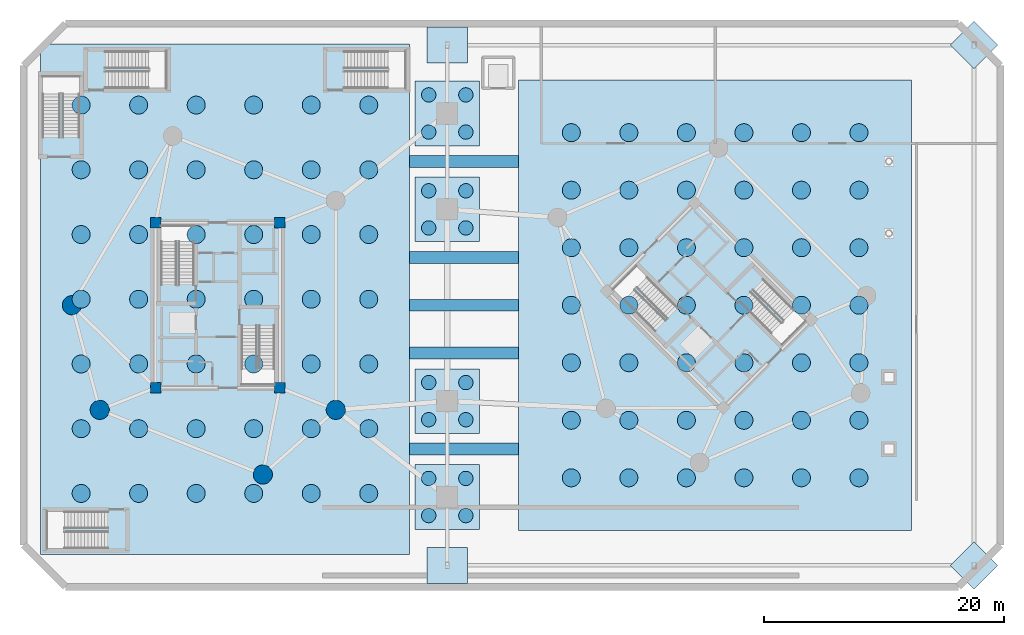
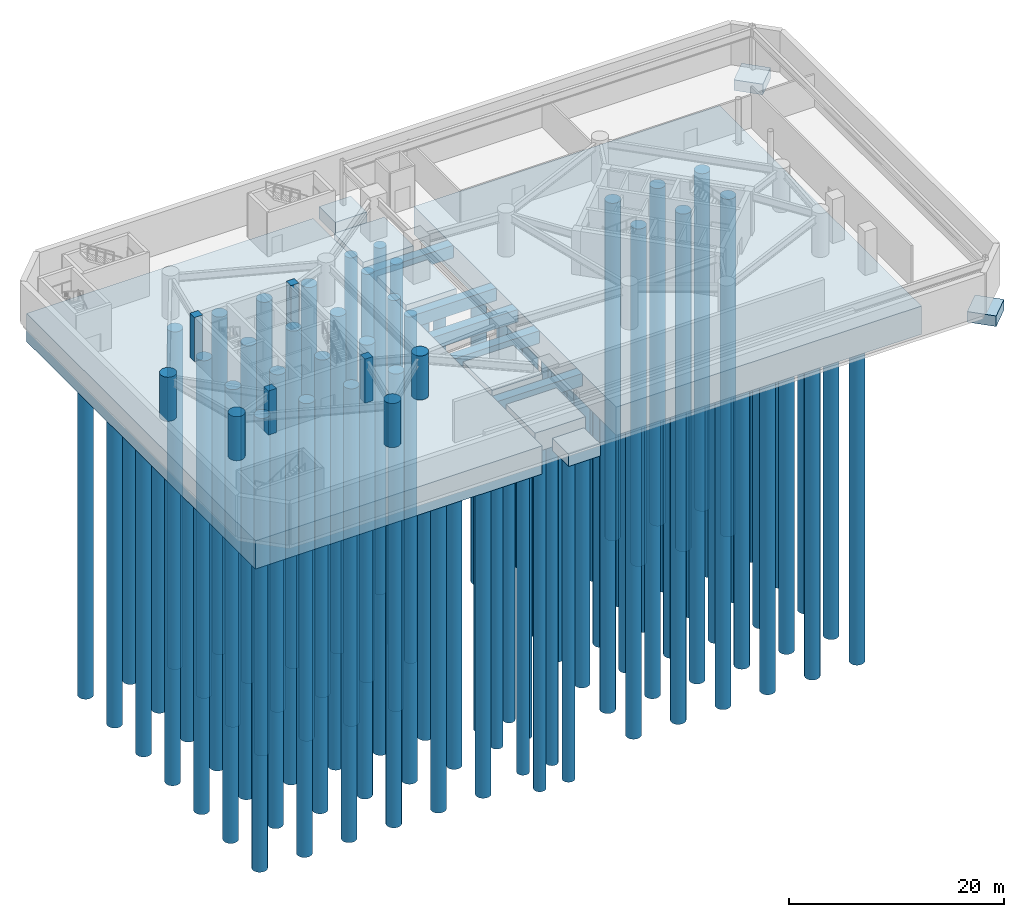
# One storey, part 1 of 15: 100 piles, 15 footings, 8 columns.
"""IFC4 building model written with IfcOpenShell, lengths in metres."""

from ifc_helpers import new_model, si_unit, direction, frame, origin, origin_2d, place, context, subcontext, project, spatial, rectangle, circle, extrude, source, transform, mapped, material, material_profile, profile_set, type_object, element, save


model = new_model("IFC4")

# Units and contexts
model_context = context("Model", 3, precision=1e-05, world=origin(), true_north=direction((0.0, 1.0)))
body_context = subcontext(model_context, "Body", "Model", "MODEL_VIEW")
ifc_project = project(units=[si_unit("LENGTHUNIT", "METRE"), si_unit("AREAUNIT", "SQUARE_METRE"), si_unit("VOLUMEUNIT", "CUBIC_METRE"), si_unit("PLANEANGLEUNIT", "RADIAN"), si_unit("MASSUNIT", "GRAM", prefix="KILO")], contexts=[model_context])

# Site, building, storey
site_placement = place(None, origin())
site = spatial("IfcSite", under=ifc_project, at=site_placement, CompositionType="ELEMENT")
building_placement = place(site_placement, origin())
building = spatial("IfcBuilding", under=site, at=building_placement, Name="Cununo Teusaquillo Station Towers", CompositionType="ELEMENT")
storey_placement = place(building_placement, frame((0.0, 0.0, -10.0)))
storey = spatial("IfcBuildingStorey", under=building, at=storey_placement, Name="B02", CompositionType="ELEMENT", Elevation=-10.0)

# Piles
ifc_material_1 = material(Name="Concrete C40/50", Category="concrete")
ifc_material_profile_1 = material_profile(ifc_material_1, circle(Radius=0.60009765625, at=origin_2d()), Name="PILE-BORED-1200")
ifc_profile_set_1 = profile_set([ifc_material_profile_1], Name="Concrete C40/50")
pile_type_1 = type_object("IfcPileType", Name="PILE-D1200", PredefinedType="BORED", material=ifc_profile_set_1)
for number, where, z_axis, x_axis, name in (
    (1, (34.10009765625, 6.949951171875, -2.64990234375), (0.0, 0.0, -1.0), (1.0, 0.0, 0.0), "Podium Cap Bored Pile PILE-PC1-S-11"),
    (2, (34.10009765625, 10.050048828125, -2.64990234375), (0.0, 0.0, -1.0), (1.0, 0.0, 0.0), "Podium Cap Bored Pile PILE-PC1-S-12"),
    (3, (37.199951171875, 6.949951171875, -2.64990234375), (0.0, 0.0, -1.0), (1.0, 0.0, 0.0), "Podium Cap Bored Pile PILE-PC1-S-21"),
    (4, (37.199951171875, 10.050048828125, -2.64990234375), (0.0, 0.0, -1.0), (1.0, 0.0, 0.0), "Podium Cap Bored Pile PILE-PC1-S-22"),
    (5, (34.10009765625, 14.949951171875, -2.64990234375), (0.0, 0.0, -1.0), (1.0, 0.0, 0.0), "Podium Cap Bored Pile PILE-PC1-M1-11"),
    (6, (34.10009765625, 18.050048828125, -2.64990234375), (0.0, 0.0, -1.0), (1.0, 0.0, 0.0), "Podium Cap Bored Pile PILE-PC1-M1-12"),
    (7, (37.199951171875, 14.949951171875, -2.64990234375), (0.0, 0.0, -1.0), (1.0, 0.0, 0.0), "Podium Cap Bored Pile PILE-PC1-M1-21"),
    (8, (37.199951171875, 18.050048828125, -2.64990234375), (0.0, 0.0, -1.0), (1.0, 0.0, 0.0), "Podium Cap Bored Pile PILE-PC1-M1-22"),
    (9, (34.10009765625, 30.949951171875, -2.64990234375), (0.0, 0.0, -1.0), (1.0, 0.0, 0.0), "Podium Cap Bored Pile PILE-PC1-M2-11"),
    (10, (34.10009765625, 34.050048828125, -2.64990234375), (0.0, 0.0, -1.0), (1.0, 0.0, 0.0), "Podium Cap Bored Pile PILE-PC1-M2-12"),
    (11, (37.199951171875, 30.949951171875, -2.64990234375), (0.0, 0.0, -1.0), (1.0, 0.0, 0.0), "Podium Cap Bored Pile PILE-PC1-M2-21"),
    (12, (37.199951171875, 34.050048828125, -2.64990234375), (0.0, 0.0, -1.0), (1.0, 0.0, 0.0), "Podium Cap Bored Pile PILE-PC1-M2-22"),
    (13, (34.10009765625, 38.949951171875, -2.64990234375), (0.0, 0.0, -1.0), (1.0, 0.0, 0.0), "Podium Cap Bored Pile PILE-PC1-N-11"),
    (14, (34.10009765625, 42.050048828125, -2.64990234375), (0.0, 0.0, -1.0), (1.0, 0.0, 0.0), "Podium Cap Bored Pile PILE-PC1-N-12"),
    (15, (37.199951171875, 38.949951171875, -2.64990234375), (0.0, 0.0, -1.0), (1.0, 0.0, 0.0), "Podium Cap Bored Pile PILE-PC1-N-21"),
    (16, (37.199951171875, 42.050048828125, -2.64990234375), (0.0, 0.0, -1.0), (1.0, 0.0, 0.0), "Podium Cap Bored Pile PILE-PC1-N-22"),
):
    element("IfcPile", number, at=place(storey_placement, frame(where, z_axis=z_axis, x_axis=x_axis)), inside=storey, type_object=pile_type_1, Name=name, PredefinedType="BORED", context=body_context, shape_type="SweptSolid", body=[
        extrude(circle(Radius=0.60009765625, at=origin_2d()), origin(), (0.0, 0.0, 1.0), 39.35009765625),
    ])
ifc_material_2 = material(Name="Concrete C40/50", Category="concrete")
ifc_material_profile_2 = material_profile(ifc_material_2, circle(Radius=0.75, at=origin_2d()), Name="PILE-BORED-1500")
ifc_profile_set_2 = profile_set([ifc_material_profile_2], Name="Concrete C40/50")
pile_type_2 = type_object("IfcPileType", Name="PILE-D1500", PredefinedType="BORED", material=ifc_profile_set_2)
for number, where, z_axis, x_axis, name in (
    (17, (5.10009765625, 8.800048828125, -3.64990234375), (0.0, 0.0, -1.0), (1.0, 0.0, 0.0), "Tower A Bored Pile PILE-T1-11"),
    (18, (5.10009765625, 14.199951171875, -3.64990234375), (0.0, 0.0, -1.0), (1.0, 0.0, 0.0), "Tower A Bored Pile PILE-T1-12"),
    (19, (5.10009765625, 19.60009765625, -3.64990234375), (0.0, 0.0, -1.0), (1.0, 0.0, 0.0), "Tower A Bored Pile PILE-T1-13"),
    (20, (5.10009765625, 25.0, -3.64990234375), (0.0, 0.0, -1.0), (1.0, 0.0, 0.0), "Tower A Bored Pile PILE-T1-14"),
    (21, (5.10009765625, 30.39990234375, -3.64990234375), (0.0, 0.0, -1.0), (1.0, 0.0, 0.0), "Tower A Bored Pile PILE-T1-15"),
    (22, (5.10009765625, 35.800048828125, -3.64990234375), (0.0, 0.0, -1.0), (1.0, 0.0, 0.0), "Tower A Bored Pile PILE-T1-16"),
    (23, (5.10009765625, 41.199951171875, -3.64990234375), (0.0, 0.0, -1.0), (1.0, 0.0, 0.0), "Tower A Bored Pile PILE-T1-17"),
    (24, (9.89990234375, 8.800048828125, -3.64990234375), (0.0, 0.0, -1.0), (1.0, 0.0, 0.0), "Tower A Bored Pile PILE-T1-21"),
    (25, (9.89990234375, 14.199951171875, -3.64990234375), (0.0, 0.0, -1.0), (1.0, 0.0, 0.0), "Tower A Bored Pile PILE-T1-22"),
    (26, (9.89990234375, 19.60009765625, -3.64990234375), (0.0, 0.0, -1.0), (1.0, 0.0, 0.0), "Tower A Bored Pile PILE-T1-23"),
    (27, (9.89990234375, 25.0, -3.64990234375), (0.0, 0.0, -1.0), (1.0, 0.0, 0.0), "Tower A Bored Pile PILE-T1-24"),
    (28, (9.89990234375, 30.39990234375, -3.64990234375), (0.0, 0.0, -1.0), (1.0, 0.0, 0.0), "Tower A Bored Pile PILE-T1-25"),
    (29, (9.89990234375, 35.800048828125, -3.64990234375), (0.0, 0.0, -1.0), (1.0, 0.0, 0.0), "Tower A Bored Pile PILE-T1-26"),
    (30, (9.89990234375, 41.199951171875, -3.64990234375), (0.0, 0.0, -1.0), (1.0, 0.0, 0.0), "Tower A Bored Pile PILE-T1-27"),
    (31, (14.699951171875, 8.800048828125, -3.64990234375), (0.0, 0.0, -1.0), (1.0, 0.0, 0.0), "Tower A Bored Pile PILE-T1-31"),
    (32, (14.699951171875, 14.199951171875, -3.64990234375), (0.0, 0.0, -1.0), (1.0, 0.0, 0.0), "Tower A Bored Pile PILE-T1-32"),
    (33, (14.699951171875, 19.60009765625, -3.64990234375), (0.0, 0.0, -1.0), (1.0, 0.0, 0.0), "Tower A Bored Pile PILE-T1-33"),
    (34, (14.699951171875, 25.0, -3.64990234375), (0.0, 0.0, -1.0), (1.0, 0.0, 0.0), "Tower A Bored Pile PILE-T1-34"),
    (35, (14.699951171875, 30.39990234375, -3.64990234375), (0.0, 0.0, -1.0), (1.0, 0.0, 0.0), "Tower A Bored Pile PILE-T1-35"),
    (36, (14.699951171875, 35.800048828125, -3.64990234375), (0.0, 0.0, -1.0), (1.0, 0.0, 0.0), "Tower A Bored Pile PILE-T1-36"),
    (37, (14.699951171875, 41.199951171875, -3.64990234375), (0.0, 0.0, -1.0), (1.0, 0.0, 0.0), "Tower A Bored Pile PILE-T1-37"),
    (38, (19.5, 8.800048828125, -3.64990234375), (0.0, 0.0, -1.0), (1.0, 0.0, 0.0), "Tower A Bored Pile PILE-T1-41"),
    (39, (19.5, 14.199951171875, -3.64990234375), (0.0, 0.0, -1.0), (1.0, 0.0, 0.0), "Tower A Bored Pile PILE-T1-42"),
    (40, (19.5, 19.60009765625, -3.64990234375), (0.0, 0.0, -1.0), (1.0, 0.0, 0.0), "Tower A Bored Pile PILE-T1-43"),
    (41, (19.5, 25.0, -3.64990234375), (0.0, 0.0, -1.0), (1.0, 0.0, 0.0), "Tower A Bored Pile PILE-T1-44"),
    (42, (19.5, 30.39990234375, -3.64990234375), (0.0, 0.0, -1.0), (1.0, 0.0, 0.0), "Tower A Bored Pile PILE-T1-45"),
    (43, (19.5, 35.800048828125, -3.64990234375), (0.0, 0.0, -1.0), (1.0, 0.0, 0.0), "Tower A Bored Pile PILE-T1-46"),
    (44, (19.5, 41.199951171875, -3.64990234375), (0.0, 0.0, -1.0), (1.0, 0.0, 0.0), "Tower A Bored Pile PILE-T1-47"),
    (45, (24.300048828125, 8.800048828125, -3.64990234375), (0.0, 0.0, -1.0), (1.0, 0.0, 0.0), "Tower A Bored Pile PILE-T1-51"),
    (46, (24.300048828125, 14.199951171875, -3.64990234375), (0.0, 0.0, -1.0), (1.0, 0.0, 0.0), "Tower A Bored Pile PILE-T1-52"),
    (47, (24.300048828125, 19.60009765625, -3.64990234375), (0.0, 0.0, -1.0), (1.0, 0.0, 0.0), "Tower A Bored Pile PILE-T1-53"),
    (48, (24.300048828125, 25.0, -3.64990234375), (0.0, 0.0, -1.0), (1.0, 0.0, 0.0), "Tower A Bored Pile PILE-T1-54"),
    (49, (24.300048828125, 30.39990234375, -3.64990234375), (0.0, 0.0, -1.0), (1.0, 0.0, 0.0), "Tower A Bored Pile PILE-T1-55"),
    (50, (24.300048828125, 35.800048828125, -3.64990234375), (0.0, 0.0, -1.0), (1.0, 0.0, 0.0), "Tower A Bored Pile PILE-T1-56"),
    (51, (24.300048828125, 41.199951171875, -3.64990234375), (0.0, 0.0, -1.0), (1.0, 0.0, 0.0), "Tower A Bored Pile PILE-T1-57"),
    (52, (29.10009765625, 8.800048828125, -3.64990234375), (0.0, 0.0, -1.0), (1.0, 0.0, 0.0), "Tower A Bored Pile PILE-T1-61"),
    (53, (29.10009765625, 14.199951171875, -3.64990234375), (0.0, 0.0, -1.0), (1.0, 0.0, 0.0), "Tower A Bored Pile PILE-T1-62"),
    (54, (29.10009765625, 19.60009765625, -3.64990234375), (0.0, 0.0, -1.0), (1.0, 0.0, 0.0), "Tower A Bored Pile PILE-T1-63"),
    (55, (29.10009765625, 25.0, -3.64990234375), (0.0, 0.0, -1.0), (1.0, 0.0, 0.0), "Tower A Bored Pile PILE-T1-64"),
    (56, (29.10009765625, 30.39990234375, -3.64990234375), (0.0, 0.0, -1.0), (1.0, 0.0, 0.0), "Tower A Bored Pile PILE-T1-65"),
    (57, (29.10009765625, 35.800048828125, -3.64990234375), (0.0, 0.0, -1.0), (1.0, 0.0, 0.0), "Tower A Bored Pile PILE-T1-66"),
    (58, (29.10009765625, 41.199951171875, -3.64990234375), (0.0, 0.0, -1.0), (1.0, 0.0, 0.0), "Tower A Bored Pile PILE-T1-67"),
    (59, (46.0, 10.10009765625, -3.64990234375), (0.0, 0.0, -1.0), (1.0, 0.0, 0.0), "Tower B Bored Pile PILE-T2-11"),
    (60, (46.0, 14.89990234375, -3.64990234375), (0.0, 0.0, -1.0), (1.0, 0.0, 0.0), "Tower B Bored Pile PILE-T2-12"),
    (61, (46.0, 19.699951171875, -3.64990234375), (0.0, 0.0, -1.0), (1.0, 0.0, 0.0), "Tower B Bored Pile PILE-T2-13"),
    (62, (46.0, 24.5, -3.64990234375), (0.0, 0.0, -1.0), (1.0, 0.0, 0.0), "Tower B Bored Pile PILE-T2-14"),
    (63, (46.0, 29.300048828125, -3.64990234375), (0.0, 0.0, -1.0), (1.0, 0.0, 0.0), "Tower B Bored Pile PILE-T2-15"),
    (64, (46.0, 34.10009765625, -3.64990234375), (0.0, 0.0, -1.0), (1.0, 0.0, 0.0), "Tower B Bored Pile PILE-T2-16"),
    (65, (46.0, 38.89990234375, -3.64990234375), (0.0, 0.0, -1.0), (1.0, 0.0, 0.0), "Tower B Bored Pile PILE-T2-17"),
    (66, (50.800048828125, 10.10009765625, -3.64990234375), (0.0, 0.0, -1.0), (1.0, 0.0, 0.0), "Tower B Bored Pile PILE-T2-21"),
    (67, (50.800048828125, 14.89990234375, -3.64990234375), (0.0, 0.0, -1.0), (1.0, 0.0, 0.0), "Tower B Bored Pile PILE-T2-22"),
    (68, (50.800048828125, 19.699951171875, -3.64990234375), (0.0, 0.0, -1.0), (1.0, 0.0, 0.0), "Tower B Bored Pile PILE-T2-23"),
    (69, (50.800048828125, 24.5, -3.64990234375), (0.0, 0.0, -1.0), (1.0, 0.0, 0.0), "Tower B Bored Pile PILE-T2-24"),
    (70, (50.800048828125, 29.300048828125, -3.64990234375), (0.0, 0.0, -1.0), (1.0, 0.0, 0.0), "Tower B Bored Pile PILE-T2-25"),
    (71, (50.800048828125, 34.10009765625, -3.64990234375), (0.0, 0.0, -1.0), (1.0, 0.0, 0.0), "Tower B Bored Pile PILE-T2-26"),
    (72, (50.800048828125, 38.89990234375, -3.64990234375), (0.0, 0.0, -1.0), (1.0, 0.0, 0.0), "Tower B Bored Pile PILE-T2-27"),
    (73, (55.60009765625, 10.10009765625, -3.64990234375), (0.0, 0.0, -1.0), (1.0, 0.0, 0.0), "Tower B Bored Pile PILE-T2-31"),
    (74, (55.60009765625, 14.89990234375, -3.64990234375), (0.0, 0.0, -1.0), (1.0, 0.0, 0.0), "Tower B Bored Pile PILE-T2-32"),
    (75, (55.60009765625, 19.699951171875, -3.64990234375), (0.0, 0.0, -1.0), (1.0, 0.0, 0.0), "Tower B Bored Pile PILE-T2-33"),
    (76, (55.60009765625, 24.5, -3.64990234375), (0.0, 0.0, -1.0), (1.0, 0.0, 0.0), "Tower B Bored Pile PILE-T2-34"),
    (77, (55.60009765625, 29.300048828125, -3.64990234375), (0.0, 0.0, -1.0), (1.0, 0.0, 0.0), "Tower B Bored Pile PILE-T2-35"),
    (78, (55.60009765625, 34.10009765625, -3.64990234375), (0.0, 0.0, -1.0), (1.0, 0.0, 0.0), "Tower B Bored Pile PILE-T2-36"),
    (79, (55.60009765625, 38.89990234375, -3.64990234375), (0.0, 0.0, -1.0), (1.0, 0.0, 0.0), "Tower B Bored Pile PILE-T2-37"),
    (80, (60.39990234375, 10.10009765625, -3.64990234375), (0.0, 0.0, -1.0), (1.0, 0.0, 0.0), "Tower B Bored Pile PILE-T2-41"),
    (81, (60.39990234375, 14.89990234375, -3.64990234375), (0.0, 0.0, -1.0), (1.0, 0.0, 0.0), "Tower B Bored Pile PILE-T2-42"),
    (82, (60.39990234375, 19.699951171875, -3.64990234375), (0.0, 0.0, -1.0), (1.0, 0.0, 0.0), "Tower B Bored Pile PILE-T2-43"),
    (83, (60.39990234375, 24.5, -3.64990234375), (0.0, 0.0, -1.0), (1.0, 0.0, 0.0), "Tower B Bored Pile PILE-T2-44"),
    (84, (60.39990234375, 29.300048828125, -3.64990234375), (0.0, 0.0, -1.0), (1.0, 0.0, 0.0), "Tower B Bored Pile PILE-T2-45"),
    (85, (60.39990234375, 34.10009765625, -3.64990234375), (0.0, 0.0, -1.0), (1.0, 0.0, 0.0), "Tower B Bored Pile PILE-T2-46"),
    (86, (60.39990234375, 38.89990234375, -3.64990234375), (0.0, 0.0, -1.0), (1.0, 0.0, 0.0), "Tower B Bored Pile PILE-T2-47"),
    (87, (65.199951171875, 10.10009765625, -3.64990234375), (0.0, 0.0, -1.0), (1.0, 0.0, 0.0), "Tower B Bored Pile PILE-T2-51"),
    (88, (65.199951171875, 14.89990234375, -3.64990234375), (0.0, 0.0, -1.0), (1.0, 0.0, 0.0), "Tower B Bored Pile PILE-T2-52"),
    (89, (65.199951171875, 19.699951171875, -3.64990234375), (0.0, 0.0, -1.0), (1.0, 0.0, 0.0), "Tower B Bored Pile PILE-T2-53"),
    (90, (65.199951171875, 24.5, -3.64990234375), (0.0, 0.0, -1.0), (1.0, 0.0, 0.0), "Tower B Bored Pile PILE-T2-54"),
    (91, (65.199951171875, 29.300048828125, -3.64990234375), (0.0, 0.0, -1.0), (1.0, 0.0, 0.0), "Tower B Bored Pile PILE-T2-55"),
    (92, (65.199951171875, 34.10009765625, -3.64990234375), (0.0, 0.0, -1.0), (1.0, 0.0, 0.0), "Tower B Bored Pile PILE-T2-56"),
    (93, (65.199951171875, 38.89990234375, -3.64990234375), (0.0, 0.0, -1.0), (1.0, 0.0, 0.0), "Tower B Bored Pile PILE-T2-57"),
    (94, (70.0, 10.10009765625, -3.64990234375), (0.0, 0.0, -1.0), (1.0, 0.0, 0.0), "Tower B Bored Pile PILE-T2-61"),
    (95, (70.0, 14.89990234375, -3.64990234375), (0.0, 0.0, -1.0), (1.0, 0.0, 0.0), "Tower B Bored Pile PILE-T2-62"),
    (96, (70.0, 19.699951171875, -3.64990234375), (0.0, 0.0, -1.0), (1.0, 0.0, 0.0), "Tower B Bored Pile PILE-T2-63"),
    (97, (70.0, 24.5, -3.64990234375), (0.0, 0.0, -1.0), (1.0, 0.0, 0.0), "Tower B Bored Pile PILE-T2-64"),
    (98, (70.0, 29.300048828125, -3.64990234375), (0.0, 0.0, -1.0), (1.0, 0.0, 0.0), "Tower B Bored Pile PILE-T2-65"),
    (99, (70.0, 34.10009765625, -3.64990234375), (0.0, 0.0, -1.0), (1.0, 0.0, 0.0), "Tower B Bored Pile PILE-T2-66"),
    (100, (70.0, 38.89990234375, -3.64990234375), (0.0, 0.0, -1.0), (1.0, 0.0, 0.0), "Tower B Bored Pile PILE-T2-67"),
):
    element("IfcPile", number, at=place(storey_placement, frame(where, z_axis=z_axis, x_axis=x_axis)), inside=storey, type_object=pile_type_2, Name=name, PredefinedType="BORED", context=body_context, shape_type="SweptSolid", body=[
        extrude(circle(Radius=0.75, at=origin_2d()), origin(), (0.0, 0.0, 1.0), 38.35009765625),
    ])

# Footings
ifc_material_3 = material(Name="Concrete C40/50", Category="concrete")
footing_type_1 = type_object("IfcFootingType", Name="FTG-RAFT-T1", PredefinedType="PILE_CAP", material=ifc_material_3)
shared_shape_1 = source(origin(), body_context, "Body", "SweptSolid", [
    extrude(rectangle(XDim=30.800048828125, YDim=42.60009765625, at=origin_2d()), origin(), (0.0, 0.0, 1.0), 3.199951171875),
])
footing_1_placement = place(storey_placement, frame((17.10009765625, 25.0, -3.7998046875), z_axis=(0.0, 0.0, 1.0), x_axis=(1.0, 0.0, 0.0)))
element("IfcFooting", 101, at=footing_1_placement, inside=storey, type_object=footing_type_1, Name="Tower A Piled Raft PR-T1", PredefinedType="PILE_CAP", context=body_context, shape_type="MappedRepresentation", body=[
    mapped(shared_shape_1, transform((0.0, 0.0, 0.0), x_axis=(1.0, 0.0, 0.0), y_axis=(0.0, 1.0, 0.0), z_axis=(0.0, 0.0, 1.0), scale=1.0)),
])
ifc_material_4 = material(Name="Concrete C40/50", Category="concrete")
footing_type_2 = type_object("IfcFootingType", Name="FTG-RAFT-T2", PredefinedType="PILE_CAP", material=ifc_material_4)
shared_shape_2 = source(origin(), body_context, "Body", "SweptSolid", [
    extrude(rectangle(XDim=32.800048828125, YDim=37.60009765625, at=origin_2d()), origin(), (0.0, 0.0, 1.0), 3.199951171875),
])
footing_2_placement = place(storey_placement, frame((58.0, 24.5, -3.7998046875), z_axis=(0.0, 0.0, 1.0), x_axis=(1.0, 0.0, 0.0)))
element("IfcFooting", 102, at=footing_2_placement, inside=storey, type_object=footing_type_2, Name="Tower B Piled Raft PR-T2", PredefinedType="PILE_CAP", context=body_context, shape_type="MappedRepresentation", body=[
    mapped(shared_shape_2, transform((0.0, 0.0, 0.0), x_axis=(1.0, 0.0, 0.0), y_axis=(0.0, 1.0, 0.0), z_axis=(0.0, 0.0, 1.0), scale=1.0)),
])
ifc_material_5 = material(Name="Concrete C40/50", Category="concrete")
footing_type_3 = type_object("IfcFootingType", Name="FTG-CAP-POD", PredefinedType="PILE_CAP", material=ifc_material_5)
shared_shape_3 = source(origin(), body_context, "Body", "SweptSolid", [
    extrude(rectangle(XDim=5.39990234375, YDim=5.39990234375, at=origin_2d()), origin(), (0.0, 0.0, 1.0), 2.199951171875),
])
for number, where, z_axis, x_axis, name in (
    (103, (35.64990234375, 8.5, -2.7998046875), (0.0, 0.0, 1.0), (1.0, 0.0, 0.0), "Podium Pile Cap PC1-S"),
    (104, (35.64990234375, 16.5, -2.7998046875), (0.0, 0.0, 1.0), (1.0, 0.0, 0.0), "Podium Pile Cap PC1-M1"),
    (105, (35.64990234375, 32.5, -2.7998046875), (0.0, 0.0, 1.0), (1.0, 0.0, 0.0), "Podium Pile Cap PC1-M2"),
    (106, (35.64990234375, 40.5, -2.7998046875), (0.0, 0.0, 1.0), (1.0, 0.0, 0.0), "Podium Pile Cap PC1-N"),
):
    element("IfcFooting", number, at=place(storey_placement, frame(where, z_axis=z_axis, x_axis=x_axis)), inside=storey, type_object=footing_type_3, Name=name, PredefinedType="PILE_CAP", context=body_context, shape_type="MappedRepresentation", body=[
        mapped(shared_shape_3, transform((0.0, 0.0, 0.0), x_axis=(1.0, 0.0, 0.0), y_axis=(0.0, 1.0, 0.0), z_axis=(0.0, 0.0, 1.0), scale=1.0)),
    ])
ifc_material_6 = material(Name="Concrete C40/50", Category="concrete")
footing_type_4 = type_object("IfcFootingType", Name="FTG-PAD-01", PredefinedType="PAD_FOOTING", material=ifc_material_6)
shared_shape_4 = source(origin(), body_context, "Body", "SweptSolid", [
    extrude(rectangle(XDim=3.39990234375, YDim=3.0, at=origin_2d()), origin(), (0.0, 0.0, 1.0), 1.39990234375),
])
for number, where, z_axis, x_axis, name in (
    (107, (35.64990234375, 46.199951171875, -2.0), (0.0, 0.0, 1.0), (1.0, 0.0, 0.0), "Station Canopy Pad Footing PF1-NW"),
    (108, (35.64990234375, 2.800048828125, -2.0), (0.0, 0.0, 1.0), (1.0, 0.0, 0.0), "Station Canopy Pad Footing PF1-SW"),
):
    element("IfcFooting", number, at=place(storey_placement, frame(where, z_axis=z_axis, x_axis=x_axis)), inside=storey, type_object=footing_type_4, Name=name, PredefinedType="PAD_FOOTING", context=body_context, shape_type="MappedRepresentation", body=[
        mapped(shared_shape_4, transform((0.0, 0.0, 0.0), x_axis=(1.0, 0.0, 0.0), y_axis=(0.0, 1.0, 0.0), z_axis=(0.0, 0.0, 1.0), scale=1.0)),
    ])
ifc_material_7 = material(Name="Concrete C40/50", Category="concrete")
footing_type_5 = type_object("IfcFootingType", Name="FTG-PAD-02", PredefinedType="PAD_FOOTING", material=ifc_material_7)
shared_shape_5 = source(origin(), body_context, "Body", "SweptSolid", [
    extrude(rectangle(XDim=2.800048828125, YDim=2.800048828125, at=origin_2d()), origin(), (0.0, 0.0, 1.0), 1.199951171875),
])
for number, where, z_axis, x_axis, name in (
    (109, (79.60009765625, 46.199951171875, -1.7998046875), (0.0, 0.0, 1.0), (0.707106781187, 0.707106781187, 0.0), "Station Canopy Pad Footing PF2-NE"),
    (110, (79.60009765625, 2.800048828125, -1.7998046875), (0.0, 0.0, 1.0), (0.707106781187, 0.707106781187, 0.0), "Station Canopy Pad Footing PF2-SE"),
):
    element("IfcFooting", number, at=place(storey_placement, frame(where, z_axis=z_axis, x_axis=x_axis)), inside=storey, type_object=footing_type_5, Name=name, PredefinedType="PAD_FOOTING", context=body_context, shape_type="MappedRepresentation", body=[
        mapped(shared_shape_5, transform((0.0, 0.0, 0.0), x_axis=(1.0, 0.0, 0.0), y_axis=(0.0, 1.0, 0.0), z_axis=(0.0, 0.0, 1.0), scale=1.0)),
    ])
ifc_material_8 = material(Name="Concrete C40/50", Category="concrete")
footing_type_6 = type_object("IfcFootingType", Name="FTG-GBEAM-01", PredefinedType="FOOTING_BEAM", material=ifc_material_8)
shared_shape_6 = source(origin(), body_context, "Body", "SweptSolid", [
    extrude(rectangle(XDim=9.095947265625, YDim=1.0, at=origin_2d()), origin(), (0.0, 0.0, 1.0), 1.39990234375),
])
for number, where, z_axis, x_axis, name in (
    (111, (37.050048828125, 12.5, -2.0), (0.0, 0.0, 1.0), (1.0, 0.0, 0.0), "Foundation Tie Ground Beam GB-01"),
    (112, (37.050048828125, 20.5, -2.0), (0.0, 0.0, 1.0), (1.0, 0.0, 0.0), "Foundation Tie Ground Beam GB-02"),
    (113, (37.050048828125, 24.5, -2.0), (0.0, 0.0, 1.0), (1.0, 0.0, 0.0), "Foundation Tie Ground Beam GB-03"),
    (114, (37.050048828125, 28.5, -2.0), (0.0, 0.0, 1.0), (1.0, 0.0, 0.0), "Foundation Tie Ground Beam GB-04"),
    (115, (37.050048828125, 36.5, -2.0), (0.0, 0.0, 1.0), (1.0, 0.0, 0.0), "Foundation Tie Ground Beam GB-05"),
):
    element("IfcFooting", number, at=place(storey_placement, frame(where, z_axis=z_axis, x_axis=x_axis)), inside=storey, type_object=footing_type_6, Name=name, PredefinedType="FOOTING_BEAM", context=body_context, shape_type="MappedRepresentation", body=[
        mapped(shared_shape_6, transform((0.0, 0.0, 0.0), x_axis=(1.0, 0.0, 0.0), y_axis=(0.0, 1.0, 0.0), z_axis=(0.0, 0.0, 1.0), scale=1.0)),
    ])

# Columns
ifc_material_9 = material(Name="Concrete C50/60", Category="concrete")
ifc_material_profile_3 = material_profile(ifc_material_9, rectangle(XDim=0.85009765625, YDim=0.85009765625, at=origin_2d()), Name="RC-RECT-850x850")
ifc_profile_set_3 = profile_set([ifc_material_profile_3], Name="Concrete C50/60")
column_type_1 = type_object("IfcColumnType", Name="COL-CORE-Z1", PredefinedType="COLUMN", material=ifc_profile_set_3)
for number, where, z_axis, x_axis, name in (
    (116, (11.324951171875, 17.6201171875, 0.0), (0.0, 0.0, 1.0), (1.0, 0.0, 0.0), "B02 Tower A Core Column 1"),
    (117, (11.324951171875, 31.3798828125, 0.0), (0.0, 0.0, 1.0), (1.0, 0.0, 0.0), "B02 Tower A Core Column 2"),
    (118, (21.675048828125, 17.6201171875, 0.0), (0.0, 0.0, 1.0), (1.0, 0.0, 0.0), "B02 Tower A Core Column 3"),
    (119, (21.675048828125, 31.3798828125, 0.0), (0.0, 0.0, 1.0), (1.0, 0.0, 0.0), "B02 Tower A Core Column 4"),
):
    element("IfcColumn", number, at=place(storey_placement, frame(where, z_axis=z_axis, x_axis=x_axis)), inside=storey, type_object=column_type_1, Name=name, PredefinedType="COLUMN", context=body_context, shape_type="SweptSolid", body=[
        extrude(rectangle(XDim=0.85009765625, YDim=0.85009765625, at=origin_2d()), origin(), (0.0, 0.0, 1.0), 5.0),
    ])
ifc_material_10 = material(Name="Concrete C60/75", Category="concrete")
ifc_material_profile_4 = material_profile(ifc_material_10, circle(Radius=0.800048828125, at=origin_2d()), Name="RC-CIRC-1600")
ifc_profile_set_4 = profile_set([ifc_material_profile_4], Name="Concrete C60/75")
column_type_2 = type_object("IfcColumnType", Name="COL-MEGA-POD", PredefinedType="USERDEFINED", material=ifc_profile_set_4)
for number, where, z_axis, x_axis, name in (
    (120, (4.327880859375, 24.5, 0.0), (0.0, 0.0, 1.0), (1.0, 0.0, 0.0), "B02 Tower A Perimeter Column V10"),
    (121, (6.652587890625, 15.771484375, 0.0), (0.0, 0.0, 1.0), (1.0, 0.0, 0.0), "B02 Tower A Perimeter Column V12"),
    (122, (20.261474609375, 10.376708984375, 0.0), (0.0, 0.0, 1.0), (1.0, 0.0, 0.0), "B02 Tower A Perimeter Column V16"),
    (123, (26.347412109375, 15.771484375, 0.0), (0.0, 0.0, 1.0), (1.0, 0.0, 0.0), "B02 Tower A Perimeter Column V18"),
):
    element("IfcColumn", number, at=place(storey_placement, frame(where, z_axis=z_axis, x_axis=x_axis)), inside=storey, type_object=column_type_2, Name=name, ObjectType="MEGA COLUMN", PredefinedType="USERDEFINED", context=body_context, shape_type="SweptSolid", body=[
        extrude(circle(Radius=0.800048828125, at=origin_2d()), origin(), (0.0, 0.0, 1.0), 5.0),
    ])

save(model, "model.ifc")
